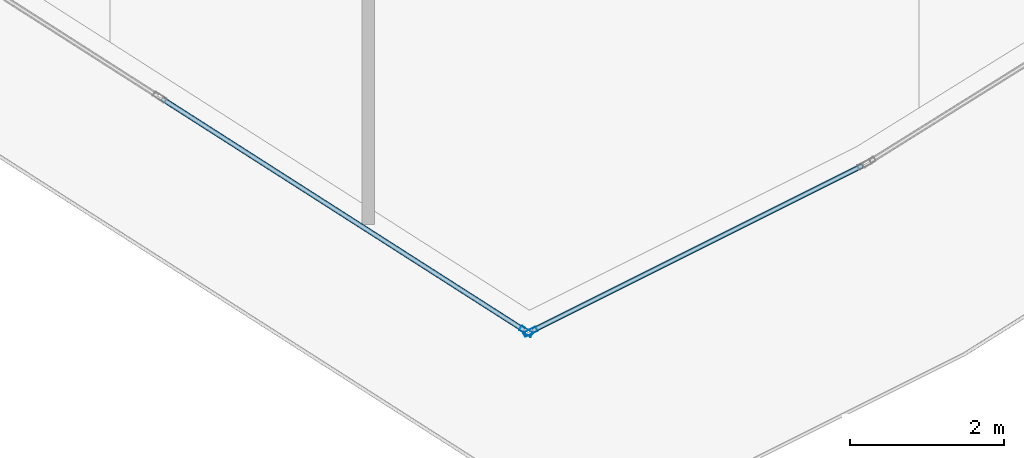
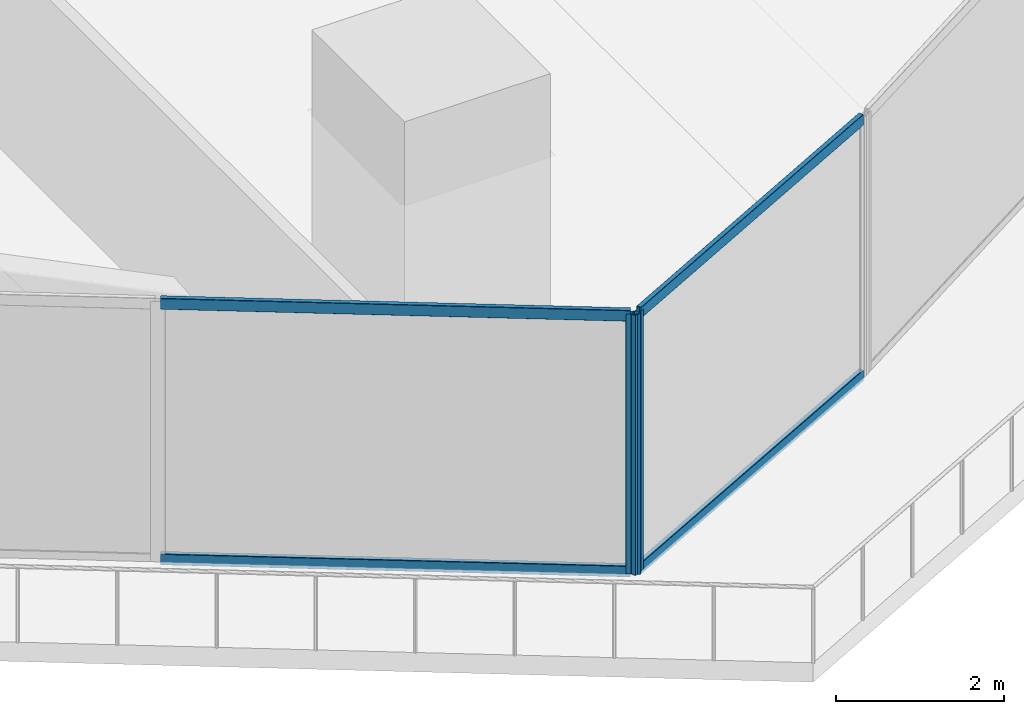
# One storey, part 8 of 45: 6 members, 2 elements without a shape of their own.
"""IFC4 building model written with IfcOpenShell, lengths in metres."""

from ifc_helpers import new_model, si_unit, direction, frame, origin, origin_2d, place, context, subcontext, project, spatial, hollow_rectangle, extrude, material, layer, layer_set, material_profile, profile_set, type_object, element, aggregate, save


model = new_model("IFC4")

# Units and contexts
model_context = context("Model", 3, precision=1e-05, world=origin(), true_north=direction((0.0, 1.0)))
body_context = subcontext(model_context, "Body", "Model", "MODEL_VIEW")
ifc_project = project(units=[si_unit("LENGTHUNIT", "METRE"), si_unit("AREAUNIT", "SQUARE_METRE"), si_unit("VOLUMEUNIT", "CUBIC_METRE"), si_unit("PLANEANGLEUNIT", "RADIAN"), si_unit("MASSUNIT", "GRAM", prefix="KILO")], contexts=[model_context])

# Site, building, storey
site_placement = place(None, origin())
site = spatial("IfcSite", under=ifc_project, at=site_placement, CompositionType="ELEMENT")
building_placement = place(site_placement, origin())
building = spatial("IfcBuilding", under=site, at=building_placement, Name="Qorvath Tower", CompositionType="ELEMENT")
storey_placement = place(building_placement, frame((0.0, 0.0, 126.0)))
storey = spatial("IfcBuildingStorey", under=building, at=storey_placement, Name="L28", CompositionType="ELEMENT", Elevation=126.0)

# Curtain wall, member
ifc_material_1 = material(Name="Anodised aluminium and triple low-E glass", Category="aluminium")
ifc_layer = layer(ifc_material_1, 0.179931640625)
ifc_layer_set = layer_set([ifc_layer], Name="CW-SYS-2")
curtain_wall_type = type_object("IfcCurtainWallType", Name="CW-SYS-2", PredefinedType="NOTDEFINED", material=ifc_layer_set)
curtain_wall_1_placement = place(storey_placement, origin())
curtain_wall_1 = element("IfcCurtainWall", 1, at=curtain_wall_1_placement, inside=storey, type_object=curtain_wall_type, Name="Curtain Wall CW-2 CW-T-L28-2.2", PredefinedType="NOTDEFINED")
ifc_material_2 = material(Name="Anodised aluminium 6063-T6", Category="aluminium")
ifc_material_profile_1 = material_profile(ifc_material_2, hollow_rectangle(XDim=0.06494140625, YDim=0.179931640625, WallThickness=0.00341796875, InnerFilletRadius=0.00341796875, OuterFilletRadius=0.007080078125, at=origin_2d()), Name="CWM 180x65")
ifc_profile_set_1 = profile_set([ifc_material_profile_1], Name="Anodised aluminium 6063-T6")
member_type_1 = type_object("IfcMemberType", Name="CWM-180", PredefinedType="MULLION", material=ifc_profile_set_1)
member_1_placement = place(storey_placement, frame((-15.76416015625, -30.772216796875, 0.0), z_axis=(0.0, 0.0, 1.0), x_axis=(0.538536165559, 0.84260239638, 0.0)))
member_1 = element("IfcMember", 2, at=member_1_placement, type_object=member_type_1, Name="CW-2 mullion 5", PredefinedType="MULLION", context=body_context, shape_type="SweptSolid", body=[
    extrude(hollow_rectangle(XDim=0.06494140625, YDim=0.179931640625, WallThickness=0.00341796875, InnerFilletRadius=0.00341796875, OuterFilletRadius=0.007080078125, at=origin_2d()), origin(), (0.0, 0.0, 1.0), 3.77001953125),
])

curtain_wall_2_placement = place(storey_placement, origin())
curtain_wall_2 = element("IfcCurtainWall", 3, at=curtain_wall_2_placement, inside=storey, type_object=curtain_wall_type, Name="Curtain Wall CW-2 CW-T-L28-3.1", PredefinedType="NOTDEFINED")
member_2_placement = place(storey_placement, frame((-15.707763671875, -30.775146484375, 0.0), z_axis=(0.0, 0.0, 1.0), x_axis=(-0.447262398188, 0.894402787992, 0.0)))
member_2 = element("IfcMember", 4, at=member_2_placement, type_object=member_type_1, Name="CW-2 mullion 1", PredefinedType="MULLION", context=body_context, shape_type="SweptSolid", body=[
    extrude(hollow_rectangle(XDim=0.06494140625, YDim=0.179931640625, WallThickness=0.00341796875, InnerFilletRadius=0.00341796875, OuterFilletRadius=0.007080078125, at=origin_2d()), origin(), (0.0, 0.0, 1.0), 3.77001953125),
])

# Member
ifc_material_3 = material(Name="Anodised aluminium 6063-T6", Category="aluminium")
ifc_material_profile_2 = material_profile(ifc_material_3, hollow_rectangle(XDim=0.06494140625, YDim=0.159912109375, WallThickness=0.00341796875, InnerFilletRadius=0.00341796875, OuterFilletRadius=0.007080078125, at=origin_2d()), Name="CWT 160x65")
ifc_profile_set_2 = profile_set([ifc_material_profile_2], Name="Anodised aluminium 6063-T6")
member_type_2 = type_object("IfcMemberType", Name="CWT-160", PredefinedType="USERDEFINED", material=ifc_profile_set_2)
member_3_placement = place(storey_placement, frame((-20.49560546875, -27.748046875, 0.032470703125), z_axis=(0.842599248295, -0.538541091071, 0.0), x_axis=(0.538541091071, 0.842599248295, 0.0)))
member_3 = element("IfcMember", 5, at=member_3_placement, type_object=member_type_2, Name="CW-2 transom 4.1", ObjectType="TRANSOM", PredefinedType="USERDEFINED", context=body_context, shape_type="SweptSolid", body=[
    extrude(hollow_rectangle(XDim=0.06494140625, YDim=0.159912109375, WallThickness=0.00341796875, InnerFilletRadius=0.00341796875, OuterFilletRadius=0.007080078125, at=origin_2d()), origin(), (0.0, 0.0, 1.0), 5.582763671875),
])

member_4_placement = place(storey_placement, frame((-20.49560546875, -27.748046875, 3.737548828125), z_axis=(0.842599248295, -0.538541091071, 0.0), x_axis=(0.538541091071, 0.842599248295, 0.0)))
member_4 = element("IfcMember", 6, at=member_4_placement, type_object=member_type_2, Name="CW-2 transom 4.2", ObjectType="TRANSOM", PredefinedType="USERDEFINED", context=body_context, shape_type="SweptSolid", body=[
    extrude(hollow_rectangle(XDim=0.06494140625, YDim=0.159912109375, WallThickness=0.00341796875, InnerFilletRadius=0.00341796875, OuterFilletRadius=0.007080078125, at=origin_2d()), origin(), (0.0, 0.0, 1.0), 5.582763671875),
])

aggregate(curtain_wall_1, [member_1, member_3, member_4])

member_5_placement = place(storey_placement, frame((-15.6787109375, -30.760498046875, 0.032470703125), z_axis=(0.894406793107, 0.447254388959, 0.0), x_axis=(-0.447254388959, 0.894406793107, 0.0)))
member_5 = element("IfcMember", 7, at=member_5_placement, type_object=member_type_2, Name="CW-2 transom 1.1", ObjectType="TRANSOM", PredefinedType="USERDEFINED", context=body_context, shape_type="SweptSolid", body=[
    extrude(hollow_rectangle(XDim=0.06494140625, YDim=0.159912109375, WallThickness=0.00341796875, InnerFilletRadius=0.00341796875, OuterFilletRadius=0.007080078125, at=origin_2d()), origin(), (0.0, 0.0, 1.0), 4.787841796875),
])

member_6_placement = place(storey_placement, frame((-15.6787109375, -30.760498046875, 3.737548828125), z_axis=(0.894406793107, 0.447254388959, 0.0), x_axis=(-0.447254388959, 0.894406793107, 0.0)))
member_6 = element("IfcMember", 8, at=member_6_placement, type_object=member_type_2, Name="CW-2 transom 1.2", ObjectType="TRANSOM", PredefinedType="USERDEFINED", context=body_context, shape_type="SweptSolid", body=[
    extrude(hollow_rectangle(XDim=0.06494140625, YDim=0.159912109375, WallThickness=0.00341796875, InnerFilletRadius=0.00341796875, OuterFilletRadius=0.007080078125, at=origin_2d()), origin(), (0.0, 0.0, 1.0), 4.787841796875),
])

aggregate(curtain_wall_2, [member_2, member_5, member_6])

save(model, "model.ifc")
